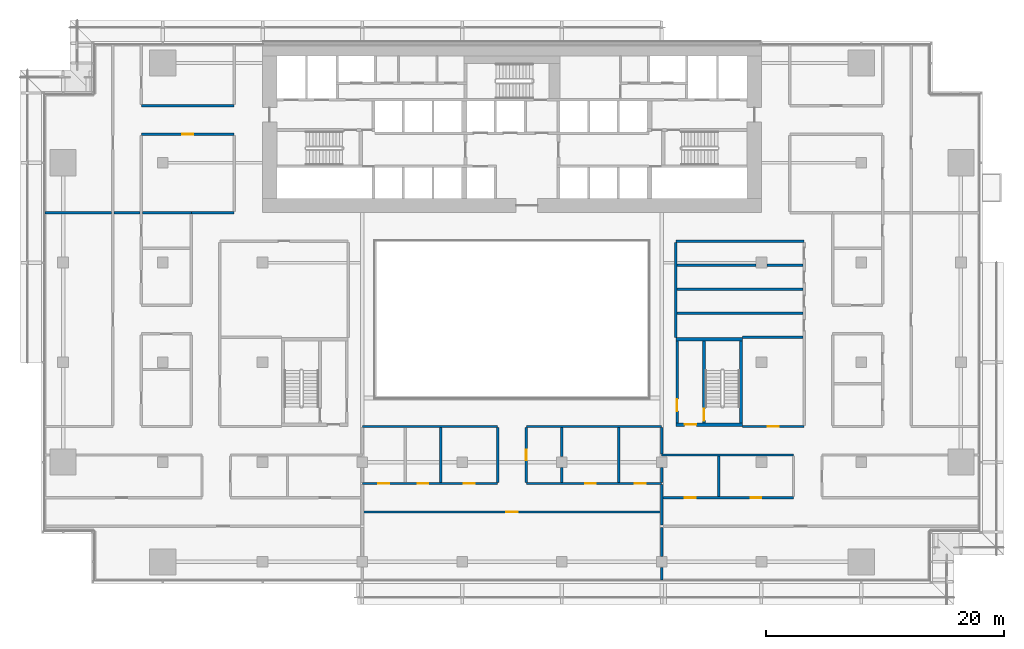
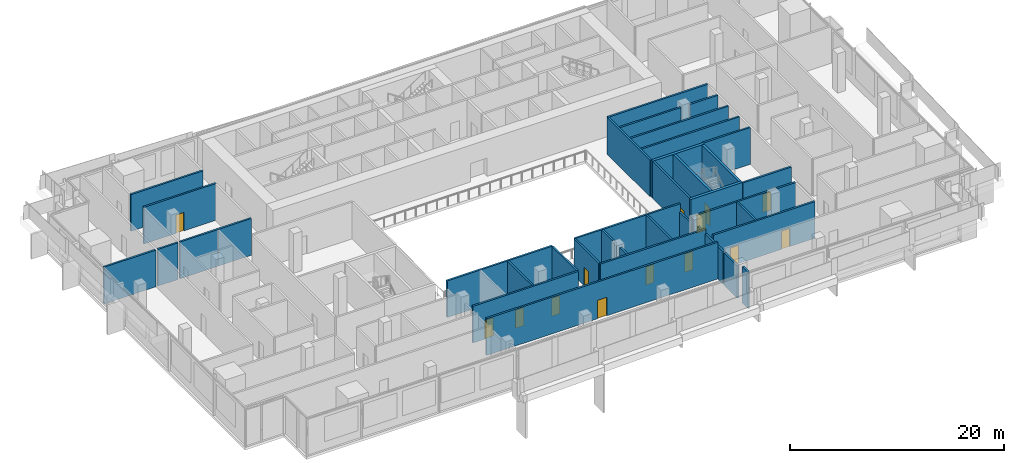
# One storey, part 14 of 24: 38 walls, 14 doors, 14 openings.
"""IFC4 building model written with IfcOpenShell, lengths in metres."""

from ifc_helpers import new_model, si_unit, direction, frame, frame_2d, origin, place, context, subcontext, project, spatial, rectangle, extrude, material, layer, layer_set, type_object, element, fill, save


model = new_model("IFC4")

# Units and contexts
model_context = context("Model", 3, precision=1e-05, world=origin(), true_north=direction((0.0, 1.0)))
body_context = subcontext(model_context, "Body", "Model", "MODEL_VIEW")
ifc_project = project(units=[si_unit("LENGTHUNIT", "METRE"), si_unit("AREAUNIT", "SQUARE_METRE"), si_unit("VOLUMEUNIT", "CUBIC_METRE"), si_unit("PLANEANGLEUNIT", "RADIAN"), si_unit("MASSUNIT", "GRAM", prefix="KILO")], contexts=[model_context])

# Site, building, storey
site_placement = place(None, origin())
site = spatial("IfcSite", under=ifc_project, at=site_placement, CompositionType="ELEMENT")
building_placement = place(site_placement, origin())
building = spatial("IfcBuilding", under=site, at=building_placement, Name="Saffron Gate Tower", CompositionType="ELEMENT")
storey_placement = place(building_placement, frame((0.0, 0.0, 28.199951171875)))
storey = spatial("IfcBuildingStorey", under=building, at=storey_placement, Name="L05", CompositionType="ELEMENT", Elevation=28.199951171875)

# Wall, opening, door
ifc_material_1 = material(Name="Gypsum board partition on steel studs", Category="steel")
ifc_layer_1 = layer(ifc_material_1, 0.199951171875)
ifc_layer_set_1 = layer_set([ifc_layer_1], Name="CW10 Core partition 200")
wall_type_1 = type_object("IfcWallType", Name="CW10 Core partition 200", PredefinedType="PARTITIONING", material=ifc_layer_set_1)
wall_1_placement = place(storey_placement, frame((101.5, 43.5, 0.0), z_axis=(0.0, 0.0, 1.0), x_axis=(0.0, 1.0, 0.0)))
wall_1 = element("IfcWall", 1, at=wall_1_placement, inside=storey, type_object=wall_type_1, Name="Wall CW10-L05-E-2", PredefinedType="PARTITIONING", context=body_context, shape_type="SweptSolid", body=[
    extrude(rectangle(XDim=6.89990234375, YDim=0.199951171875, at=frame_2d((3.449951171875, 0.0))), origin(), (0.0, 0.0, 1.0), 4.199951171875),
])
opening_1_placement = place(wall_1_placement, frame((1.0, 0.0, 0.0)))
opening_1 = element("IfcOpeningElement", 2, at=opening_1_placement, cuts=wall_1, Name="Opening CR-22", PredefinedType="OPENING", context=body_context, shape_type="SweptSolid", body=[
    extrude(rectangle(XDim=1.0, YDim=2.10009765625, at=frame_2d((0.5, 1.050048828125))), frame((0.0, 0.10986328125, 0.0), z_axis=(0.0, -1.0, 0.0), x_axis=(1.0, 0.0, 0.0)), (0.0, 0.0, 1.0), 0.219970703125),
])
ifc_material_2 = material(Name="Steel fire door set", Category="steel")
door_type_1 = type_object("IfcDoorType", Name="CD4 Lobby door 1000x2100 EI 120", OperationType="NOTDEFINED", PredefinedType="DOOR", material=ifc_material_2)
door_1_placement = place(opening_1_placement, origin())
door_1 = element("IfcDoor", 3, at=door_1_placement, inside=storey, type_object=door_type_1, Name="DOOR CR-22", OperationType="SINGLE_SWING_LEFT", OverallHeight=2.10009765625, OverallWidth=1.0, PredefinedType="DOOR", context=body_context, shape_type="SweptSolid", body=[
    extrude(rectangle(XDim=1.0, YDim=2.10009765625, at=frame_2d((0.5, 1.050048828125))), frame((0.0, 0.02490234375, 0.0), z_axis=(0.0, -1.0, 0.0), x_axis=(1.0, 0.0, 0.0)), (0.0, 0.0, 1.0), 0.050048828125),
])
fill(opening_1, door_1)

ifc_material_3 = material(Name="Concrete C70", Category="concrete")
ifc_layer_2 = layer(ifc_material_3, 0.25)
ifc_layer_set_2 = layer_set([ifc_layer_2], Name="CW2 RC core wall 250 C70")
wall_type_2 = type_object("IfcWallType", Name="CW2 RC core wall 250 C70", PredefinedType="SOLIDWALL", material=ifc_layer_set_2)
wall_2_placement = place(storey_placement, frame((103.77490234375, 43.5, 0.0), z_axis=(0.0, 0.0, 1.0), x_axis=(0.0, 1.0, 0.0)))
wall_2 = element("IfcWall", 4, at=wall_2_placement, inside=storey, type_object=wall_type_2, Name="Wall CW2-L05-E-3", PredefinedType="SOLIDWALL", context=body_context, shape_type="SweptSolid", body=[
    extrude(rectangle(XDim=6.89990234375, YDim=0.25, at=frame_2d((3.449951171875, 0.0))), origin(), (0.0, 0.0, 1.0), 4.199951171875),
])
opening_2_placement = place(wall_2_placement, frame((0.199951171875, 0.0, 0.0)))
opening_2 = element("IfcOpeningElement", 5, at=opening_2_placement, cuts=wall_2, Name="Opening CR-23", PredefinedType="OPENING", context=body_context, shape_type="SweptSolid", body=[
    extrude(rectangle(XDim=1.0, YDim=2.10009765625, at=frame_2d((0.5, 1.050048828125))), frame((0.0, 0.135009765625, 0.0), z_axis=(0.0, -1.0, 0.0), x_axis=(1.0, 0.0, 0.0)), (0.0, 0.0, 1.0), 0.27001953125),
])
door_type_2 = type_object("IfcDoorType", Name="CD5 Stair door 1000x2100 EI 120", OperationType="NOTDEFINED", PredefinedType="DOOR", material=ifc_material_2)
door_2_placement = place(opening_2_placement, origin())
door_2 = element("IfcDoor", 6, at=door_2_placement, inside=storey, type_object=door_type_2, Name="DOOR CR-23", OperationType="SINGLE_SWING_RIGHT", OverallHeight=2.10009765625, OverallWidth=1.0, PredefinedType="DOOR", context=body_context, shape_type="SweptSolid", body=[
    extrude(rectangle(XDim=1.0, YDim=2.10009765625, at=frame_2d((0.5, 1.050048828125))), frame((0.0, 0.02490234375, 0.0), z_axis=(0.0, -1.0, 0.0), x_axis=(1.0, 0.0, 0.0)), (0.0, 0.0, 1.0), 0.050048828125),
])
fill(opening_2, door_2)

# Wall
wall_3_placement = place(storey_placement, frame((106.875, 43.5, 0.0), z_axis=(0.0, 0.0, 1.0), x_axis=(0.0, 1.0, 0.0)))
element("IfcWall", 7, at=wall_3_placement, inside=storey, type_object=wall_type_2, Name="Wall CW2-L05-E-4", PredefinedType="SOLIDWALL", context=body_context, shape_type="SweptSolid", body=[
    extrude(rectangle(XDim=6.89990234375, YDim=0.25, at=frame_2d((3.449951171875, 0.0))), origin(), (0.0, 0.0, 1.0), 4.199951171875),
])

# Wall, opening, door
ifc_layer_3 = layer(ifc_material_3, 0.300048828125)
ifc_layer_set_3 = layer_set([ifc_layer_3], Name="CW5 RC core wall 300 C70")
wall_type_3 = type_object("IfcWallType", Name="CW5 RC core wall 300 C70", PredefinedType="SOLIDWALL", material=ifc_layer_set_3)
wall_4_placement = place(storey_placement, frame((101.39990234375, 43.35009765625, 0.0), z_axis=(0.0, 0.0, 1.0), x_axis=(1.0, 0.0, 0.0)))
wall_4 = element("IfcWall", 8, at=wall_4_placement, inside=storey, type_object=wall_type_3, Name="Wall CW5-L05-E-1", PredefinedType="SOLIDWALL", context=body_context, shape_type="SweptSolid", body=[
    extrude(rectangle(XDim=5.60009765625, YDim=0.300048828125, at=frame_2d((2.800048828125, 0.0))), origin(), (0.0, 0.0, 1.0), 4.199951171875),
])
opening_3_placement = place(wall_4_placement, frame((0.72509765625, 0.0, 0.0)))
opening_3 = element("IfcOpeningElement", 9, at=opening_3_placement, cuts=wall_4, Name="Opening CR-21", PredefinedType="OPENING", context=body_context, shape_type="SweptSolid", body=[
    extrude(rectangle(XDim=1.0, YDim=2.10009765625, at=frame_2d((0.5, 1.050048828125))), frame((0.0, 0.16015625, 0.0), z_axis=(0.0, -1.0, 0.0), x_axis=(1.0, 0.0, 0.0)), (0.0, 0.0, 1.0), 0.320068359375),
])
door_3_placement = place(opening_3_placement, origin())
door_3 = element("IfcDoor", 10, at=door_3_placement, inside=storey, type_object=door_type_1, Name="DOOR CR-21", OperationType="SINGLE_SWING_RIGHT", OverallHeight=2.10009765625, OverallWidth=1.0, PredefinedType="DOOR", context=body_context, shape_type="SweptSolid", body=[
    extrude(rectangle(XDim=1.0, YDim=2.10009765625, at=frame_2d((0.5, 1.050048828125))), frame((0.0, 0.02490234375, 0.0), z_axis=(0.0, -1.0, 0.0), x_axis=(1.0, 0.0, 0.0)), (0.0, 0.0, 1.0), 0.050048828125),
])
fill(opening_3, door_3)

# Walls
wall_5_placement = place(storey_placement, frame((101.39990234375, 50.550048828125, 0.0), z_axis=(0.0, 0.0, 1.0), x_axis=(1.0, 0.0, 0.0)))
element("IfcWall", 11, at=wall_5_placement, inside=storey, type_object=wall_type_3, Name="Wall CW5-L05-E-5", PredefinedType="SOLIDWALL", context=body_context, shape_type="SweptSolid", body=[
    extrude(rectangle(XDim=5.60009765625, YDim=0.300048828125, at=frame_2d((2.800048828125, 0.0))), origin(), (0.0, 0.0, 1.0), 4.199951171875),
])
ifc_material_4 = material(Name="Clay brick masonry, rendered", Category="masonry")
ifc_layer_4 = layer(ifc_material_4, 0.199951171875)
ifc_layer_set_4 = layer_set([ifc_layer_4], Name="PW2 Demising wall 200")
wall_type_4 = type_object("IfcWallType", Name="PW2 Demising wall 200", PredefinedType="PARTITIONING", material=ifc_layer_set_4)
wall_6_placement = place(storey_placement, frame((107.0, 50.699951171875, 0.0), z_axis=(0.0, 0.0, 1.0), x_axis=(1.0, 0.0, 0.0)))
element("IfcWall", 12, at=wall_6_placement, inside=storey, type_object=wall_type_4, Name="Wall S2-26", PredefinedType="PARTITIONING", context=body_context, shape_type="SweptSolid", body=[
    extrude(rectangle(XDim=5.10009765625, YDim=0.199951171875, at=frame_2d((2.550048828125, 0.0))), origin(), (0.0, 0.0, 1.0), 4.199951171875),
])
for number, where, z_axis, x_axis, name in (
    (13, (101.5, 52.72509765625, 0.0), (0.0, 0.0, 1.0), (1.0, 0.0, 0.0), "Wall S2-30"),
    (14, (101.5, 54.75, 0.0), (0.0, 0.0, 1.0), (1.0, 0.0, 0.0), "Wall S2-33"),
):
    element("IfcWall", number, at=place(storey_placement, frame(where, z_axis=z_axis, x_axis=x_axis)), inside=storey, type_object=wall_type_4, Name=name, PredefinedType="PARTITIONING", context=body_context, shape_type="SweptSolid", body=[
        extrude(rectangle(XDim=10.60009765625, YDim=0.199951171875, at=frame_2d((5.300048828125, 0.0))), origin(), (0.0, 0.0, 1.0), 4.199951171875),
    ])
wall_7_placement = place(storey_placement, frame((101.5, 56.77490234375, 0.0), z_axis=(0.0, 0.0, 1.0), x_axis=(1.0, 0.0, 0.0)))
element("IfcWall", 15, at=wall_7_placement, inside=storey, type_object=wall_type_4, Name="Wall S2-34", PredefinedType="PARTITIONING", context=body_context, shape_type="SweptSolid", body=[
    extrude(rectangle(XDim=6.6298828125, YDim=0.199951171875, at=frame_2d((3.31494140625, 0.0))), origin(), (0.0, 0.0, 1.0), 4.199951171875),
])
wall_8_placement = place(storey_placement, frame((109.070068359375, 56.77490234375, 0.0), z_axis=(0.0, 0.0, 1.0), x_axis=(1.0, 0.0, 0.0)))
element("IfcWall", 16, at=wall_8_placement, inside=storey, type_object=wall_type_4, Name="Wall S2-35", PredefinedType="PARTITIONING", context=body_context, shape_type="SweptSolid", body=[
    extrude(rectangle(XDim=3.030029296875, YDim=0.199951171875, at=frame_2d((1.51513671875, 0.0))), origin(), (0.0, 0.0, 1.0), 4.199951171875),
])

# Wall, opening, door
ifc_layer_5 = layer(ifc_material_4, 0.199951171875)
ifc_layer_set_5 = layer_set([ifc_layer_5], Name="PW3 Corridor wall 200")
wall_type_5 = type_object("IfcWallType", Name="PW3 Corridor wall 200", PredefinedType="PARTITIONING", material=ifc_layer_set_5)
wall_9_placement = place(storey_placement, frame((100.10009765625, 36.0, 0.0), z_axis=(0.0, 0.0, 1.0), x_axis=(-1.0, 0.0, 0.0)))
wall_9 = element("IfcWall", 17, at=wall_9_placement, inside=storey, type_object=wall_type_5, Name="Wall S2-3", PredefinedType="PARTITIONING", context=body_context, shape_type="SweptSolid", body=[
    extrude(rectangle(XDim=25.0, YDim=0.199951171875, at=frame_2d((12.5, 0.0))), origin(), (0.0, 0.0, 1.0), 4.199951171875),
])
opening_4_placement = place(wall_9_placement, frame((12.0, 0.0, 0.0)))
opening_4 = element("IfcOpeningElement", 18, at=opening_4_placement, cuts=wall_9, Name="Opening S2-33", PredefinedType="OPENING", context=body_context, shape_type="SweptSolid", body=[
    extrude(rectangle(XDim=1.0, YDim=2.10009765625, at=frame_2d((0.5, 1.050048828125))), frame((0.0, 0.10986328125, 0.0), z_axis=(0.0, -1.0, 0.0), x_axis=(1.0, 0.0, 0.0)), (0.0, 0.0, 1.0), 0.219970703125),
])
ifc_material_5 = material(Name="Timber door set", Category="wood")
door_type_3 = type_object("IfcDoorType", Name="HD1 Hall door 1200x2100", OperationType="NOTDEFINED", PredefinedType="DOOR", material=ifc_material_5)
door_4_placement = place(opening_4_placement, origin())
door_4 = element("IfcDoor", 19, at=door_4_placement, inside=storey, type_object=door_type_3, Name="Door S2-33", OperationType="SINGLE_SWING_RIGHT", OverallHeight=2.10009765625, OverallWidth=1.0, PredefinedType="DOOR", context=body_context, shape_type="SweptSolid", body=[
    extrude(rectangle(XDim=1.0, YDim=2.10009765625, at=frame_2d((0.5, 1.050048828125))), frame((0.0, 0.02490234375, 0.0), z_axis=(0.0, -1.0, 0.0), x_axis=(1.0, 0.0, 0.0)), (0.0, 0.0, 1.0), 0.050048828125),
])
fill(opening_4, door_4)

# Wall, openings, doors
wall_10_placement = place(storey_placement, frame((100.300048828125, 37.199951171875, 0.0), z_axis=(0.0, 0.0, 1.0), x_axis=(1.0, 0.0, 0.0)))
wall_10 = element("IfcWall", 20, at=wall_10_placement, inside=storey, type_object=wall_type_5, Name="Wall S2-6", PredefinedType="PARTITIONING", context=body_context, shape_type="SweptSolid", body=[
    extrude(rectangle(XDim=11.0, YDim=0.199951171875, at=frame_2d((5.5, 0.0))), origin(), (0.0, 0.0, 1.0), 4.199951171875),
])
opening_5_placement = place(wall_10_placement, frame((1.85009765625, 0.0, 0.0)))
opening_5 = element("IfcOpeningElement", 21, at=opening_5_placement, cuts=wall_10, Name="Opening S2-15", PredefinedType="OPENING", context=body_context, shape_type="SweptSolid", body=[
    extrude(rectangle(XDim=0.89990234375, YDim=2.10009765625, at=frame_2d((0.449951171875, 1.050048828125))), frame((0.0, 0.10986328125, 0.0), z_axis=(0.0, -1.0, 0.0), x_axis=(1.0, 0.0, 0.0)), (0.0, 0.0, 1.0), 0.219970703125),
])
opening_6_placement = place(wall_10_placement, frame((7.39990234375, 0.0, 0.0)))
opening_6 = element("IfcOpeningElement", 22, at=opening_6_placement, cuts=wall_10, Name="Opening S2-16", PredefinedType="OPENING", context=body_context, shape_type="SweptSolid", body=[
    extrude(rectangle(XDim=0.89990234375, YDim=2.10009765625, at=frame_2d((0.449951171875, 1.050048828125))), frame((0.0, 0.10986328125, 0.0), z_axis=(0.0, -1.0, 0.0), x_axis=(1.0, 0.0, 0.0)), (0.0, 0.0, 1.0), 0.219970703125),
])
door_type_4 = type_object("IfcDoorType", Name="RD1 Room door 900x2100", OperationType="NOTDEFINED", PredefinedType="DOOR", material=ifc_material_5)
door_5_placement = place(opening_5_placement, origin())
door_5 = element("IfcDoor", 23, at=door_5_placement, inside=storey, type_object=door_type_4, Name="Door S2-15", OperationType="SINGLE_SWING_LEFT", OverallHeight=2.10009765625, OverallWidth=0.89990234375, PredefinedType="DOOR", context=body_context, shape_type="SweptSolid", body=[
    extrude(rectangle(XDim=0.89990234375, YDim=2.10009765625, at=frame_2d((0.449951171875, 1.050048828125))), frame((0.0, 0.02490234375, 0.0), z_axis=(0.0, -1.0, 0.0), x_axis=(1.0, 0.0, 0.0)), (0.0, 0.0, 1.0), 0.050048828125),
])
fill(opening_5, door_5)
door_6_placement = place(opening_6_placement, origin())
door_6 = element("IfcDoor", 24, at=door_6_placement, inside=storey, type_object=door_type_4, Name="Door S2-16", OperationType="SINGLE_SWING_LEFT", OverallHeight=2.10009765625, OverallWidth=0.89990234375, PredefinedType="DOOR", context=body_context, shape_type="SweptSolid", body=[
    extrude(rectangle(XDim=0.89990234375, YDim=2.10009765625, at=frame_2d((0.449951171875, 1.050048828125))), frame((0.0, 0.02490234375, 0.0), z_axis=(0.0, -1.0, 0.0), x_axis=(1.0, 0.0, 0.0)), (0.0, 0.0, 1.0), 0.050048828125),
])
fill(opening_6, door_6)

wall_11_placement = place(storey_placement, frame((75.0, 38.39990234375, 0.0), z_axis=(0.0, 0.0, 1.0), x_axis=(1.0, 0.0, 0.0)))
wall_11 = element("IfcWall", 25, at=wall_11_placement, inside=storey, type_object=wall_type_5, Name="Wall S2-8", PredefinedType="PARTITIONING", context=body_context, shape_type="SweptSolid", body=[
    extrude(rectangle(XDim=11.39990234375, YDim=0.199951171875, at=frame_2d((5.699951171875, 0.0))), origin(), (0.0, 0.0, 1.0), 4.199951171875),
])
opening_7_placement = place(wall_11_placement, frame((1.35009765625, 0.0, 0.0)))
opening_7 = element("IfcOpeningElement", 26, at=opening_7_placement, cuts=wall_11, Name="Opening S2-9", PredefinedType="OPENING", context=body_context, shape_type="SweptSolid", body=[
    extrude(rectangle(XDim=0.89990234375, YDim=2.10009765625, at=frame_2d((0.449951171875, 1.050048828125))), frame((0.0, 0.10986328125, 0.0), z_axis=(0.0, -1.0, 0.0), x_axis=(1.0, 0.0, 0.0)), (0.0, 0.0, 1.0), 0.219970703125),
])
opening_8_placement = place(wall_11_placement, frame((4.64990234375, 0.0, 0.0)))
opening_8 = element("IfcOpeningElement", 27, at=opening_8_placement, cuts=wall_11, Name="Opening S2-10", PredefinedType="OPENING", context=body_context, shape_type="SweptSolid", body=[
    extrude(rectangle(XDim=0.89990234375, YDim=2.10009765625, at=frame_2d((0.449951171875, 1.050048828125))), frame((0.0, 0.10986328125, 0.0), z_axis=(0.0, -1.0, 0.0), x_axis=(1.0, 0.0, 0.0)), (0.0, 0.0, 1.0), 0.219970703125),
])
opening_9_placement = place(wall_11_placement, frame((8.550048828125, 0.0, 0.0)))
opening_9 = element("IfcOpeningElement", 28, at=opening_9_placement, cuts=wall_11, Name="Opening S2-11", PredefinedType="OPENING", context=body_context, shape_type="SweptSolid", body=[
    extrude(rectangle(XDim=0.89990234375, YDim=2.10009765625, at=frame_2d((0.449951171875, 1.050048828125))), frame((0.0, 0.10986328125, 0.0), z_axis=(0.0, -1.0, 0.0), x_axis=(1.0, 0.0, 0.0)), (0.0, 0.0, 1.0), 0.219970703125),
])
door_7_placement = place(opening_7_placement, origin())
door_7 = element("IfcDoor", 29, at=door_7_placement, inside=storey, type_object=door_type_4, Name="Door S2-9", OperationType="SINGLE_SWING_LEFT", OverallHeight=2.10009765625, OverallWidth=0.89990234375, PredefinedType="DOOR", context=body_context, shape_type="SweptSolid", body=[
    extrude(rectangle(XDim=0.89990234375, YDim=2.10009765625, at=frame_2d((0.449951171875, 1.050048828125))), frame((0.0, 0.02490234375, 0.0), z_axis=(0.0, -1.0, 0.0), x_axis=(1.0, 0.0, 0.0)), (0.0, 0.0, 1.0), 0.050048828125),
])
fill(opening_7, door_7)
door_8_placement = place(opening_8_placement, origin())
door_8 = element("IfcDoor", 30, at=door_8_placement, inside=storey, type_object=door_type_4, Name="Door S2-10", OperationType="SINGLE_SWING_LEFT", OverallHeight=2.10009765625, OverallWidth=0.89990234375, PredefinedType="DOOR", context=body_context, shape_type="SweptSolid", body=[
    extrude(rectangle(XDim=0.89990234375, YDim=2.10009765625, at=frame_2d((0.449951171875, 1.050048828125))), frame((0.0, 0.02490234375, 0.0), z_axis=(0.0, -1.0, 0.0), x_axis=(1.0, 0.0, 0.0)), (0.0, 0.0, 1.0), 0.050048828125),
])
fill(opening_8, door_8)
door_9_placement = place(opening_9_placement, origin())
door_9 = element("IfcDoor", 31, at=door_9_placement, inside=storey, type_object=door_type_4, Name="Door S2-11", OperationType="SINGLE_SWING_LEFT", OverallHeight=2.10009765625, OverallWidth=0.89990234375, PredefinedType="DOOR", context=body_context, shape_type="SweptSolid", body=[
    extrude(rectangle(XDim=0.89990234375, YDim=2.10009765625, at=frame_2d((0.449951171875, 1.050048828125))), frame((0.0, 0.02490234375, 0.0), z_axis=(0.0, -1.0, 0.0), x_axis=(1.0, 0.0, 0.0)), (0.0, 0.0, 1.0), 0.050048828125),
])
fill(opening_9, door_9)

wall_12_placement = place(storey_placement, frame((88.800048828125, 38.39990234375, 0.0), z_axis=(0.0, 0.0, 1.0), x_axis=(1.0, 0.0, 0.0)))
wall_12 = element("IfcWall", 32, at=wall_12_placement, inside=storey, type_object=wall_type_5, Name="Wall S2-9", PredefinedType="PARTITIONING", context=body_context, shape_type="SweptSolid", body=[
    extrude(rectangle(XDim=11.39990234375, YDim=0.199951171875, at=frame_2d((5.699951171875, 0.0))), origin(), (0.0, 0.0, 1.0), 4.199951171875),
])
opening_10_placement = place(wall_12_placement, frame((4.949951171875, 0.0, 0.0)))
opening_10 = element("IfcOpeningElement", 33, at=opening_10_placement, cuts=wall_12, Name="Opening S2-13", PredefinedType="OPENING", context=body_context, shape_type="SweptSolid", body=[
    extrude(rectangle(XDim=0.89990234375, YDim=2.10009765625, at=frame_2d((0.449951171875, 1.050048828125))), frame((0.0, 0.10986328125, 0.0), z_axis=(0.0, -1.0, 0.0), x_axis=(1.0, 0.0, 0.0)), (0.0, 0.0, 1.0), 0.219970703125),
])
opening_11_placement = place(wall_12_placement, frame((9.14990234375, 0.0, 0.0)))
opening_11 = element("IfcOpeningElement", 34, at=opening_11_placement, cuts=wall_12, Name="Opening S2-14", PredefinedType="OPENING", context=body_context, shape_type="SweptSolid", body=[
    extrude(rectangle(XDim=0.89990234375, YDim=2.10009765625, at=frame_2d((0.449951171875, 1.050048828125))), frame((0.0, 0.10986328125, 0.0), z_axis=(0.0, -1.0, 0.0), x_axis=(1.0, 0.0, 0.0)), (0.0, 0.0, 1.0), 0.219970703125),
])
door_10_placement = place(opening_10_placement, origin())
door_10 = element("IfcDoor", 35, at=door_10_placement, inside=storey, type_object=door_type_4, Name="Door S2-13", OperationType="SINGLE_SWING_RIGHT", OverallHeight=2.10009765625, OverallWidth=0.89990234375, PredefinedType="DOOR", context=body_context, shape_type="SweptSolid", body=[
    extrude(rectangle(XDim=0.89990234375, YDim=2.10009765625, at=frame_2d((0.449951171875, 1.050048828125))), frame((0.0, 0.02490234375, 0.0), z_axis=(0.0, -1.0, 0.0), x_axis=(1.0, 0.0, 0.0)), (0.0, 0.0, 1.0), 0.050048828125),
])
fill(opening_10, door_10)
door_11_placement = place(opening_11_placement, origin())
door_11 = element("IfcDoor", 36, at=door_11_placement, inside=storey, type_object=door_type_4, Name="Door S2-14", OperationType="SINGLE_SWING_LEFT", OverallHeight=2.10009765625, OverallWidth=0.89990234375, PredefinedType="DOOR", context=body_context, shape_type="SweptSolid", body=[
    extrude(rectangle(XDim=0.89990234375, YDim=2.10009765625, at=frame_2d((0.449951171875, 1.050048828125))), frame((0.0, 0.02490234375, 0.0), z_axis=(0.0, -1.0, 0.0), x_axis=(1.0, 0.0, 0.0)), (0.0, 0.0, 1.0), 0.050048828125),
])
fill(opening_11, door_11)

# Walls
wall_13_placement = place(storey_placement, frame((100.199951171875, 40.800048828125, 0.0), z_axis=(0.0, 0.0, 1.0), x_axis=(1.0, 0.0, 0.0)))
element("IfcWall", 37, at=wall_13_placement, inside=storey, type_object=wall_type_5, Name="Wall S2-13", PredefinedType="PARTITIONING", context=body_context, shape_type="SweptSolid", body=[
    extrude(rectangle(XDim=11.10009765625, YDim=0.199951171875, at=frame_2d((5.550048828125, 0.0))), origin(), (0.0, 0.0, 1.0), 4.199951171875),
])
for number, where, z_axis, x_axis, name in (
    (38, (75.0, 43.199951171875, 0.0), (0.0, 0.0, 1.0), (1.0, 0.0, 0.0), "Wall S2-19"),
    (39, (88.800048828125, 43.199951171875, 0.0), (0.0, 0.0, 1.0), (1.0, 0.0, 0.0), "Wall S2-20"),
):
    element("IfcWall", number, at=place(storey_placement, frame(where, z_axis=z_axis, x_axis=x_axis)), inside=storey, type_object=wall_type_5, Name=name, PredefinedType="PARTITIONING", context=body_context, shape_type="SweptSolid", body=[
        extrude(rectangle(XDim=11.39990234375, YDim=0.199951171875, at=frame_2d((5.699951171875, 0.0))), origin(), (0.0, 0.0, 1.0), 4.199951171875),
    ])

# Wall, opening, door
wall_14_placement = place(storey_placement, frame((107.0, 43.199951171875, 0.0), z_axis=(0.0, 0.0, 1.0), x_axis=(1.0, 0.0, 0.0)))
wall_14 = element("IfcWall", 40, at=wall_14_placement, inside=storey, type_object=wall_type_5, Name="Wall S2-21", PredefinedType="PARTITIONING", context=body_context, shape_type="SweptSolid", body=[
    extrude(rectangle(XDim=5.199951171875, YDim=0.199951171875, at=frame_2d((2.60009765625, 0.0))), origin(), (0.0, 0.0, 1.0), 4.199951171875),
])
opening_12_placement = place(wall_14_placement, frame((2.14990234375, 0.0, 0.0)))
opening_12 = element("IfcOpeningElement", 41, at=opening_12_placement, cuts=wall_14, Name="Opening S2-30", PredefinedType="OPENING", context=body_context, shape_type="SweptSolid", body=[
    extrude(rectangle(XDim=0.89990234375, YDim=2.10009765625, at=frame_2d((0.449951171875, 1.050048828125))), frame((0.0, 0.10986328125, 0.0), z_axis=(0.0, -1.0, 0.0), x_axis=(1.0, 0.0, 0.0)), (0.0, 0.0, 1.0), 0.219970703125),
])
door_type_5 = type_object("IfcDoorType", Name="SD1 Service door 900x2100", OperationType="NOTDEFINED", PredefinedType="DOOR", material=ifc_material_2)
door_12_placement = place(opening_12_placement, origin())
door_12 = element("IfcDoor", 42, at=door_12_placement, inside=storey, type_object=door_type_5, Name="Door S2-30", OperationType="SINGLE_SWING_LEFT", OverallHeight=2.10009765625, OverallWidth=0.89990234375, PredefinedType="DOOR", context=body_context, shape_type="SweptSolid", body=[
    extrude(rectangle(XDim=0.89990234375, YDim=2.10009765625, at=frame_2d((0.449951171875, 1.050048828125))), frame((0.0, 0.02490234375, 0.0), z_axis=(0.0, -1.0, 0.0), x_axis=(1.0, 0.0, 0.0)), (0.0, 0.0, 1.0), 0.050048828125),
])
fill(opening_12, door_12)

# Walls
wall_15_placement = place(storey_placement, frame((101.39990234375, 58.800048828125, 0.0), z_axis=(0.0, 0.0, 1.0), x_axis=(1.0, 0.0, 0.0)))
element("IfcWall", 43, at=wall_15_placement, inside=storey, type_object=wall_type_5, Name="Wall S2-39", PredefinedType="PARTITIONING", context=body_context, shape_type="SweptSolid", body=[
    extrude(rectangle(XDim=10.800048828125, YDim=0.199951171875, at=frame_2d((5.39990234375, 0.0))), origin(), (0.0, 0.0, 1.0), 4.199951171875),
])
wall_16_placement = place(storey_placement, frame((54.10009765625, 61.199951171875, 0.0), z_axis=(0.0, 0.0, 1.0), x_axis=(1.0, 0.0, 0.0)))
element("IfcWall", 44, at=wall_16_placement, inside=storey, type_object=wall_type_5, Name="Wall S2-40", PredefinedType="PARTITIONING", context=body_context, shape_type="SweptSolid", body=[
    extrude(rectangle(XDim=2.199951171875, YDim=0.199951171875, at=frame_2d((1.10009765625, 0.0))), origin(), (0.0, 0.0, 1.0), 4.199951171875),
])
wall_17_placement = place(storey_placement, frame((60.60009765625, 61.199951171875, 0.0), z_axis=(0.0, 0.0, 1.0), x_axis=(1.0, 0.0, 0.0)))
element("IfcWall", 45, at=wall_17_placement, inside=storey, type_object=wall_type_5, Name="Wall S2-41", PredefinedType="PARTITIONING", context=body_context, shape_type="SweptSolid", body=[
    extrude(rectangle(XDim=3.599853515625, YDim=0.199951171875, at=frame_2d((1.7998046875, 0.0))), origin(), (0.0, 0.0, 1.0), 4.199951171875),
])

# Wall, opening, door
wall_18_placement = place(storey_placement, frame((64.199951171875, 67.800048828125, 0.0), z_axis=(0.0, 0.0, 1.0), x_axis=(-1.0, 0.0, 0.0)))
wall_18 = element("IfcWall", 46, at=wall_18_placement, inside=storey, type_object=wall_type_5, Name="Wall S2-48", PredefinedType="PARTITIONING", context=body_context, shape_type="SweptSolid", body=[
    extrude(rectangle(XDim=7.800048828125, YDim=0.199951171875, at=frame_2d((3.89990234375, 0.0))), origin(), (0.0, 0.0, 1.0), 4.199951171875),
])
opening_13_placement = place(wall_18_placement, frame((3.449951171875, 0.0, 0.0)))
opening_13 = element("IfcOpeningElement", 47, at=opening_13_placement, cuts=wall_18, Name="Opening S2-22", PredefinedType="OPENING", context=body_context, shape_type="SweptSolid", body=[
    extrude(rectangle(XDim=0.89990234375, YDim=2.10009765625, at=frame_2d((0.449951171875, 1.050048828125))), frame((0.0, 0.10986328125, 0.0), z_axis=(0.0, -1.0, 0.0), x_axis=(1.0, 0.0, 0.0)), (0.0, 0.0, 1.0), 0.219970703125),
])
door_13_placement = place(opening_13_placement, origin())
door_13 = element("IfcDoor", 48, at=door_13_placement, inside=storey, type_object=door_type_4, Name="Door S2-22", OperationType="SINGLE_SWING_RIGHT", OverallHeight=2.10009765625, OverallWidth=0.89990234375, PredefinedType="DOOR", context=body_context, shape_type="SweptSolid", body=[
    extrude(rectangle(XDim=0.89990234375, YDim=2.10009765625, at=frame_2d((0.449951171875, 1.050048828125))), frame((0.0, 0.02490234375, 0.0), z_axis=(0.0, -1.0, 0.0), x_axis=(1.0, 0.0, 0.0)), (0.0, 0.0, 1.0), 0.050048828125),
])
fill(opening_13, door_13)

# Walls
wall_19_placement = place(storey_placement, frame((56.39990234375, 70.199951171875, 0.0), z_axis=(0.0, 0.0, 1.0), x_axis=(1.0, 0.0, 0.0)))
element("IfcWall", 49, at=wall_19_placement, inside=storey, type_object=wall_type_5, Name="Wall S2-50", PredefinedType="PARTITIONING", context=body_context, shape_type="SweptSolid", body=[
    extrude(rectangle(XDim=7.800048828125, YDim=0.199951171875, at=frame_2d((3.89990234375, 0.0))), origin(), (0.0, 0.0, 1.0), 4.199951171875),
])
wall_20_placement = place(storey_placement, frame((86.39990234375, 43.10009765625, 0.0), z_axis=(0.0, 0.0, 1.0), x_axis=(0.0, -1.0, 0.0)))
element("IfcWall", 50, at=wall_20_placement, inside=storey, type_object=wall_type_5, Name="Wall S2-72", PredefinedType="PARTITIONING", context=body_context, shape_type="SweptSolid", body=[
    extrude(rectangle(XDim=4.60009765625, YDim=0.199951171875, at=frame_2d((2.300048828125, 0.0))), origin(), (0.0, 0.0, 1.0), 4.199951171875),
])

# Wall, opening, door
wall_21_placement = place(storey_placement, frame((88.800048828125, 43.10009765625, 0.0), z_axis=(0.0, 0.0, 1.0), x_axis=(0.0, -1.0, 0.0)))
wall_21 = element("IfcWall", 51, at=wall_21_placement, inside=storey, type_object=wall_type_5, Name="Wall S2-73", PredefinedType="PARTITIONING", context=body_context, shape_type="SweptSolid", body=[
    extrude(rectangle(XDim=4.60009765625, YDim=0.199951171875, at=frame_2d((2.300048828125, 0.0))), origin(), (0.0, 0.0, 1.0), 4.199951171875),
])
opening_14_placement = place(wall_21_placement, frame((1.85009765625, 0.0, 0.0)))
opening_14 = element("IfcOpeningElement", 52, at=opening_14_placement, cuts=wall_21, Name="Opening S2-12", PredefinedType="OPENING", context=body_context, shape_type="SweptSolid", body=[
    extrude(rectangle(XDim=0.89990234375, YDim=2.10009765625, at=frame_2d((0.449951171875, 1.050048828125))), frame((0.0, 0.10986328125, 0.0), z_axis=(0.0, -1.0, 0.0), x_axis=(1.0, 0.0, 0.0)), (0.0, 0.0, 1.0), 0.219970703125),
])
door_14_placement = place(opening_14_placement, origin())
door_14 = element("IfcDoor", 53, at=door_14_placement, inside=storey, type_object=door_type_4, Name="Door S2-12", OperationType="SINGLE_SWING_RIGHT", OverallHeight=2.10009765625, OverallWidth=0.89990234375, PredefinedType="DOOR", context=body_context, shape_type="SweptSolid", body=[
    extrude(rectangle(XDim=0.89990234375, YDim=2.10009765625, at=frame_2d((0.449951171875, 1.050048828125))), frame((0.0, 0.02490234375, 0.0), z_axis=(0.0, -1.0, 0.0), x_axis=(1.0, 0.0, 0.0)), (0.0, 0.0, 1.0), 0.050048828125),
])
fill(opening_14, door_14)

# Walls
wall_22_placement = place(storey_placement, frame((100.199951171875, 38.300048828125, 0.0), z_axis=(0.0, 0.0, 1.0), x_axis=(0.0, -1.0, 0.0)))
element("IfcWall", 54, at=wall_22_placement, inside=storey, type_object=wall_type_5, Name="Wall S2-77", PredefinedType="PARTITIONING", context=body_context, shape_type="SweptSolid", body=[
    extrude(rectangle(XDim=3.400146484375, YDim=0.199951171875, at=frame_2d((1.7001953125, 0.0))), origin(), (0.0, 0.0, 1.0), 3.699951171875),
])
wall_23_placement = place(storey_placement, frame((100.199951171875, 43.10009765625, 0.0), z_axis=(0.0, 0.0, 1.0), x_axis=(0.0, -1.0, 0.0)))
element("IfcWall", 55, at=wall_23_placement, inside=storey, type_object=wall_type_5, Name="Wall S2-78", PredefinedType="PARTITIONING", context=body_context, shape_type="SweptSolid", body=[
    extrude(rectangle(XDim=2.2001953125, YDim=0.199951171875, at=frame_2d((1.10009765625, 0.0))), origin(), (0.0, 0.0, 1.0), 3.300048828125),
])
wall_24_placement = place(storey_placement, frame((101.39990234375, 58.699951171875, 0.0), z_axis=(0.0, 0.0, 1.0), x_axis=(0.0, -1.0, 0.0)))
element("IfcWall", 56, at=wall_24_placement, inside=storey, type_object=wall_type_5, Name="Wall S2-82", PredefinedType="PARTITIONING", context=body_context, shape_type="SweptSolid", body=[
    extrude(rectangle(XDim=8.0, YDim=0.199951171875, at=frame_2d((4.0, 0.0))), origin(), (0.0, 0.0, 1.0), 4.199951171875),
])
ifc_layer_6 = layer(ifc_material_4, 0.199951171875)
ifc_layer_set_6 = layer_set([ifc_layer_6], Name="PW5 Room wall 200")
wall_type_6 = type_object("IfcWallType", Name="PW5 Room wall 200", PredefinedType="PARTITIONING", material=ifc_layer_set_6)
wall_25_placement = place(storey_placement, frame((48.280029296875, 61.199951171875, 0.0), z_axis=(0.0, 0.0, 1.0), x_axis=(1.0, 0.0, 0.0)))
element("IfcWall", 57, at=wall_25_placement, inside=storey, type_object=wall_type_6, Name="Wall S2-44", PredefinedType="PARTITIONING", context=body_context, shape_type="SweptSolid", body=[
    extrude(rectangle(XDim=5.619873046875, YDim=0.199951171875, at=frame_2d((2.81005859375, 0.0))), origin(), (0.0, 0.0, 1.0), 4.199951171875),
])
wall_26_placement = place(storey_placement, frame((56.5, 61.199951171875, 0.0), z_axis=(0.0, 0.0, 1.0), x_axis=(1.0, 0.0, 0.0)))
element("IfcWall", 58, at=wall_26_placement, inside=storey, type_object=wall_type_6, Name="Wall S2-45", PredefinedType="PARTITIONING", context=body_context, shape_type="SweptSolid", body=[
    extrude(rectangle(XDim=4.10009765625, YDim=0.199951171875, at=frame_2d((2.050048828125, 0.0))), origin(), (0.0, 0.0, 1.0), 4.199951171875),
])
wall_27_placement = place(storey_placement, frame((81.60009765625, 43.10009765625, 0.0), z_axis=(0.0, 0.0, 1.0), x_axis=(0.0, -1.0, 0.0)))
element("IfcWall", 59, at=wall_27_placement, inside=storey, type_object=wall_type_6, Name="Wall S2-71", PredefinedType="PARTITIONING", context=body_context, shape_type="SweptSolid", body=[
    extrude(rectangle(XDim=4.60009765625, YDim=0.199951171875, at=frame_2d((2.300048828125, 0.0))), origin(), (0.0, 0.0, 1.0), 4.199951171875),
])
wall_28_placement = place(storey_placement, frame((91.800048828125, 39.72998046875, 0.0), z_axis=(0.0, 0.0, 1.0), x_axis=(0.0, -1.0, 0.0)))
element("IfcWall", 60, at=wall_28_placement, inside=storey, type_object=wall_type_6, Name="Wall S2-74", PredefinedType="PARTITIONING", context=body_context, shape_type="SweptSolid", body=[
    extrude(rectangle(XDim=1.22998046875, YDim=0.199951171875, at=frame_2d((0.614990234375, 0.0))), origin(), (0.0, 0.0, 1.0), 4.199951171875),
])
wall_29_placement = place(storey_placement, frame((91.800048828125, 43.10009765625, 0.0), z_axis=(0.0, 0.0, 1.0), x_axis=(0.0, -1.0, 0.0)))
element("IfcWall", 61, at=wall_29_placement, inside=storey, type_object=wall_type_6, Name="Wall S2-75", PredefinedType="PARTITIONING", context=body_context, shape_type="SweptSolid", body=[
    extrude(rectangle(XDim=2.43017578125, YDim=0.199951171875, at=frame_2d((1.215087890625, 0.0))), origin(), (0.0, 0.0, 1.0), 4.199951171875),
])
wall_30_placement = place(storey_placement, frame((96.60009765625, 43.10009765625, 0.0), z_axis=(0.0, 0.0, 1.0), x_axis=(0.0, -1.0, 0.0)))
element("IfcWall", 62, at=wall_30_placement, inside=storey, type_object=wall_type_6, Name="Wall S2-76", PredefinedType="PARTITIONING", context=body_context, shape_type="SweptSolid", body=[
    extrude(rectangle(XDim=4.60009765625, YDim=0.199951171875, at=frame_2d((2.300048828125, 0.0))), origin(), (0.0, 0.0, 1.0), 4.199951171875),
])
wall_31_placement = place(storey_placement, frame((100.199951171875, 31.330078125, 0.0), z_axis=(0.0, 0.0, 1.0), x_axis=(0.0, -1.0, 0.0)))
element("IfcWall", 63, at=wall_31_placement, inside=storey, type_object=wall_type_6, Name="Wall S2-79", PredefinedType="PARTITIONING", context=body_context, shape_type="SweptSolid", body=[
    extrude(rectangle(XDim=1.050048828125, YDim=0.199951171875, at=frame_2d((0.52490234375, 0.0))), origin(), (0.0, 0.0, 1.0), 4.199951171875),
])
wall_32_placement = place(storey_placement, frame((100.199951171875, 34.699951171875, 0.0), z_axis=(0.0, 0.0, 1.0), x_axis=(0.0, -1.0, 0.0)))
element("IfcWall", 64, at=wall_32_placement, inside=storey, type_object=wall_type_6, Name="Wall S2-80", PredefinedType="PARTITIONING", context=body_context, shape_type="SweptSolid", body=[
    extrude(rectangle(XDim=2.429931640625, YDim=0.199951171875, at=frame_2d((1.21484375, 0.0))), origin(), (0.0, 0.0, 1.0), 3.699951171875),
])
wall_33_placement = place(storey_placement, frame((100.199951171875, 39.72998046875, 0.0), z_axis=(0.0, 0.0, 1.0), x_axis=(0.0, -1.0, 0.0)))
element("IfcWall", 65, at=wall_33_placement, inside=storey, type_object=wall_type_6, Name="Wall S2-81", PredefinedType="PARTITIONING", context=body_context, shape_type="SweptSolid", body=[
    extrude(rectangle(XDim=1.22998046875, YDim=0.199951171875, at=frame_2d((0.614990234375, 0.0))), origin(), (0.0, 0.0, 1.0), 3.699951171875),
])
wall_34_placement = place(storey_placement, frame((105.0, 40.699951171875, 0.0), z_axis=(0.0, 0.0, 1.0), x_axis=(0.0, -1.0, 0.0)))
element("IfcWall", 66, at=wall_34_placement, inside=storey, type_object=wall_type_6, Name="Wall S2-83", PredefinedType="PARTITIONING", context=body_context, shape_type="SweptSolid", body=[
    extrude(rectangle(XDim=3.39990234375, YDim=0.199951171875, at=frame_2d((1.699951171875, 0.0))), origin(), (0.0, 0.0, 1.0), 4.199951171875),
])

save(model, "model.ifc")
